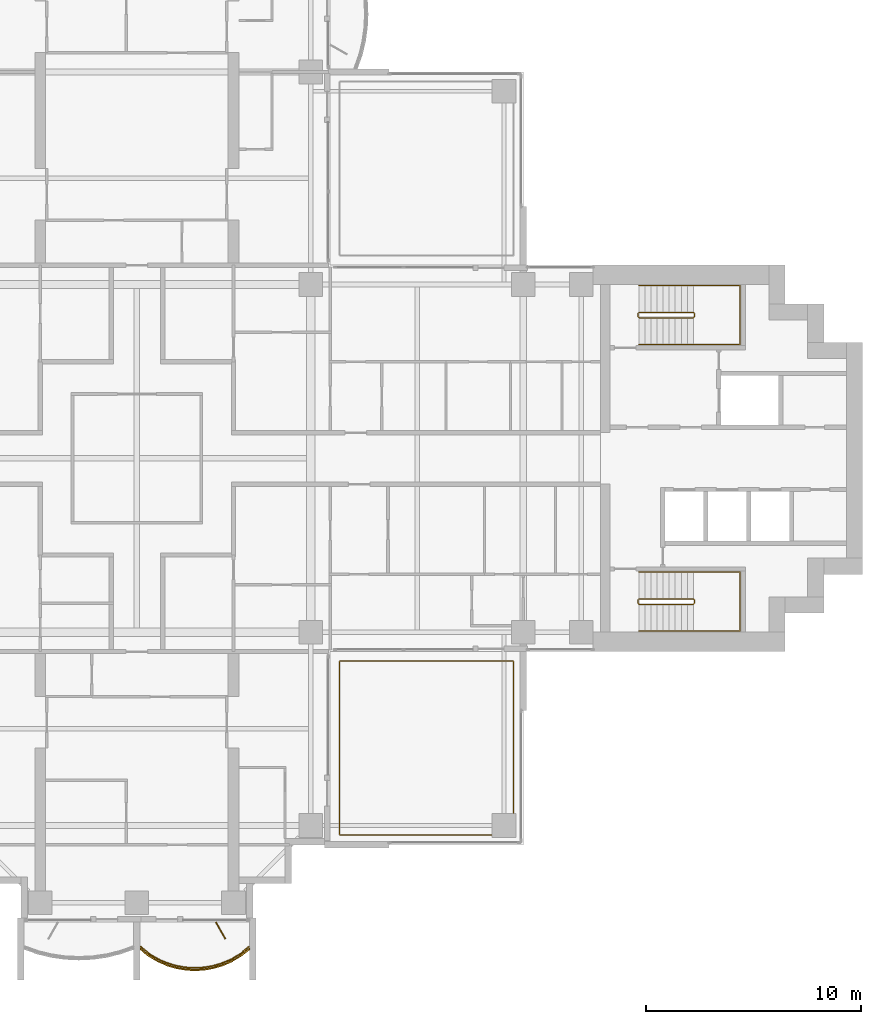
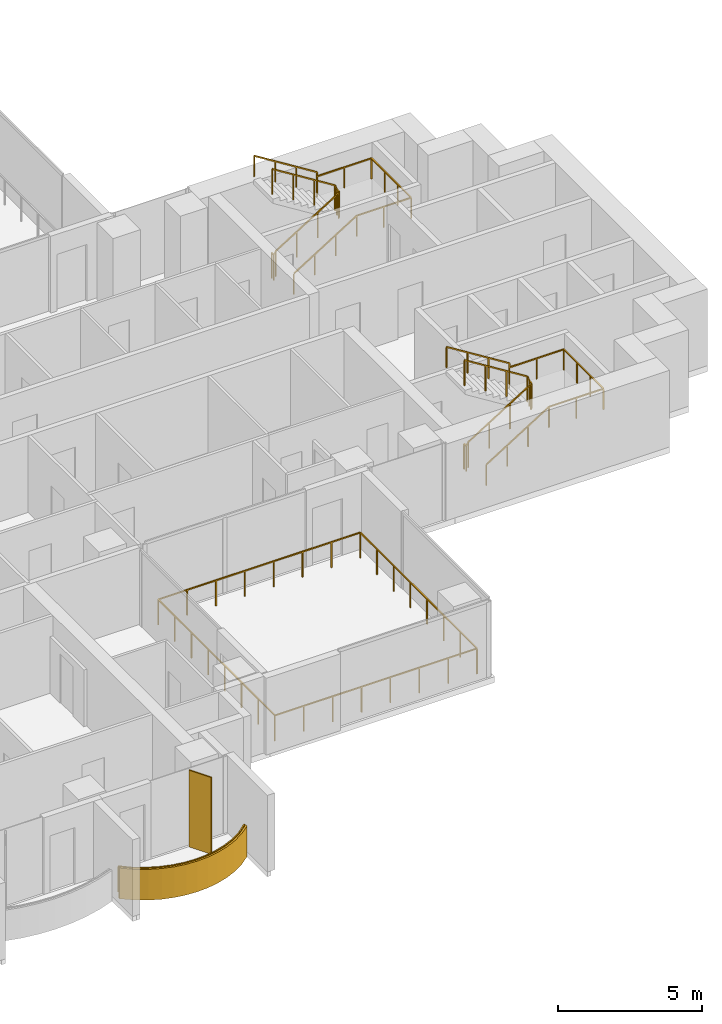
# One storey, part 17 of 19: 6 railings, 1 covering, 1 shading device.
"""IFC4 building model written with IfcOpenShell, lengths in metres."""

from ifc_helpers import new_model, si_unit, direction, frame, origin, origin_2d, place, context, subcontext, project, spatial, polyline, rectangle, outline, extrude, material, layer, layer_set, type_object, element, save


model = new_model("IFC4")

# Units and contexts
model_context = context("Model", 3, precision=1e-05, world=origin(), true_north=direction((0.0, 1.0)))
body_context = subcontext(model_context, "Body", "Model", "MODEL_VIEW")
ifc_project = project(units=[si_unit("LENGTHUNIT", "METRE"), si_unit("AREAUNIT", "SQUARE_METRE"), si_unit("VOLUMEUNIT", "CUBIC_METRE"), si_unit("PLANEANGLEUNIT", "RADIAN"), si_unit("MASSUNIT", "GRAM", prefix="KILO")], contexts=[model_context])

# Site, building, storey
site_placement = place(None, origin())
site = spatial("IfcSite", under=ifc_project, at=site_placement, CompositionType="ELEMENT")
building_placement = place(site_placement, origin())
building = spatial("IfcBuilding", under=site, at=building_placement, Name="Perihelion Cross Residences", CompositionType="ELEMENT")
storey_placement = place(building_placement, frame((0.0, 0.0, 119.89990234375)))
storey = spatial("IfcBuildingStorey", under=building, at=storey_placement, Name="L28", CompositionType="ELEMENT", Elevation=119.89990234375)

# Covering
ifc_material_1 = material(Name="Bronze anodised aluminium", Category="aluminium")
ifc_layer_1 = layer(ifc_material_1, 0.070068359375)
ifc_layer_set_1 = layer_set([ifc_layer_1], Name="Balcony fascia 1300")
covering_type = type_object("IfcCoveringType", Name="Balcony fascia 1300", PredefinedType="CLADDING", material=ifc_layer_set_1)
covering_placement = place(storey_placement, frame((0.0, 0.0, -0.199951171875)))
element("IfcCovering", 1, at=covering_placement, inside=storey, type_object=covering_type, Name="Fascia BF1 L28 south tip south bay 2", PredefinedType="CLADDING", context=body_context, shape_type="SweptSolid", body=[
    extrude(outline(polyline([(0.53515625, -23.197509765625), (0.96826171875, -23.455078125), (1.401123046875, -23.642578125), (1.833984375, -23.7705078125), (2.26708984375, -23.845458984375), (2.699951171875, -23.8701171875), (3.133056640625, -23.845458984375), (3.56591796875, -23.7705078125), (3.998779296875, -23.642578125), (4.431884765625, -23.455078125), (4.86474609375, -23.197509765625), (5.25, -22.8896484375), (5.25, -22.800048828125), (4.824951171875, -23.14013671875), (4.39990234375, -23.392578125), (3.97509765625, -23.57666015625), (3.550048828125, -23.702392578125), (3.125, -23.77587890625), (2.699951171875, -23.800048828125), (2.27490234375, -23.77587890625), (1.85009765625, -23.702392578125), (1.425048828125, -23.57666015625), (1.0, -23.392578125), (0.574951171875, -23.14013671875), (0.14990234375, -22.800048828125), (0.14990234375, -22.8896484375), (0.53515625, -23.197509765625)])), origin(), (0.0, 0.0, 1.0), 1.300048828125),
])

# Railings
ifc_material_2 = material(Name="Bronze anodised aluminium", Category="aluminium")
railing_type_1 = type_object("IfcRailingType", Name="Balcony guard 1100", PredefinedType="GUARDRAIL", material=ifc_material_2)
railing_1_placement = place(storey_placement, frame((0.175048828125, -22.739990234375, 0.0)))
element("IfcRailing", 2, at=railing_1_placement, inside=storey, type_object=railing_type_1, Name="Guard GU1 L28 south tip south bay 2 balcony", PredefinedType="GUARDRAIL", context=body_context, shape_type="SweptSolid", body=[
    extrude(rectangle(XDim=0.048095703125, YDim=0.048095703125, at=origin_2d()), frame((0.0, 0.0, 1.076171875), z_axis=(0.761778647315, -0.647837396648, 0.0), x_axis=(0.647837396648, 0.761778647315, 0.0)), (0.0, 0.0, 1.0), 0.52490234375),
    extrude(rectangle(XDim=0.048095703125, YDim=0.048095703125, at=origin_2d()), frame((0.39990234375, -0.340087890625, 1.076171875), z_axis=(0.859576918062, -0.511006381501, 0.0), x_axis=(0.511006381501, 0.859576918062, 0.0)), (0.0, 0.0, 1.0), 0.494384765625),
    extrude(rectangle(XDim=0.048095703125, YDim=0.048095703125, at=origin_2d()), frame((0.824951171875, -0.5927734375, 1.076171875), z_axis=(0.917831080218, -0.396971167952, 0.0), x_axis=(0.396971167952, 0.917831080218, 0.0)), (0.0, 0.0, 1.0), 0.463134765625),
    extrude(rectangle(XDim=0.048095703125, YDim=0.048095703125, at=origin_2d()), frame((1.25, -0.776611328125, 1.076171875), z_axis=(0.958925815697, -0.283656975924, 0.0), x_axis=(0.283656975924, 0.958925815697, 0.0)), (0.0, 0.0, 1.0), 0.443359375),
    extrude(rectangle(XDim=0.048095703125, YDim=0.048095703125, at=origin_2d()), frame((1.675048828125, -0.90234375, 1.076171875), z_axis=(0.985365142702, -0.170456843651, 0.0), x_axis=(0.170456843651, 0.985365142702, 0.0)), (0.0, 0.0, 1.0), 0.43115234375),
    extrude(rectangle(XDim=0.048095703125, YDim=0.048095703125, at=origin_2d()), frame((2.099853515625, -0.975830078125, 1.076171875), z_axis=(0.998387160354, -0.056772159032, 0.0), x_axis=(0.056772159032, 0.998387160354, 0.0)), (0.0, 0.0, 1.0), 0.42578125),
    extrude(rectangle(XDim=0.048095703125, YDim=0.048095703125, at=origin_2d()), frame((2.52490234375, -1.0, 1.076171875), z_axis=(0.998387160354, 0.056772159032, 0.0), x_axis=(-0.056772159032, 0.998387160354, 0.0)), (0.0, 0.0, 1.0), 0.42578125),
    extrude(rectangle(XDim=0.048095703125, YDim=0.048095703125, at=origin_2d()), frame((2.949951171875, -0.975830078125, 1.076171875), z_axis=(0.985381583142, 0.17036177859, 0.0), x_axis=(-0.17036177859, 0.985381583142, 0.0)), (0.0, 0.0, 1.0), 0.431396484375),
    extrude(rectangle(XDim=0.048095703125, YDim=0.048095703125, at=origin_2d()), frame((3.375, -0.90234375, 1.076171875), z_axis=(0.958925815697, 0.283656975924, 0.0), x_axis=(-0.283656975924, 0.958925815697, 0.0)), (0.0, 0.0, 1.0), 0.443359375),
    extrude(rectangle(XDim=0.048095703125, YDim=0.048095703125, at=origin_2d()), frame((3.800048828125, -0.776611328125, 1.076171875), z_axis=(0.917747942671, 0.397163333811, 0.0), x_axis=(-0.397163333811, 0.917747942671, 0.0)), (0.0, 0.0, 1.0), 0.462890625),
    extrude(rectangle(XDim=0.048095703125, YDim=0.048095703125, at=origin_2d()), frame((4.224853515625, -0.5927734375, 1.076171875), z_axis=(0.859576918062, 0.511006381501, 0.0), x_axis=(-0.511006381501, 0.859576918062, 0.0)), (0.0, 0.0, 1.0), 0.494384765625),
    extrude(rectangle(XDim=0.048095703125, YDim=0.048095703125, at=origin_2d()), frame((4.64990234375, -0.340087890625, 1.076171875), z_axis=(0.761973728849, 0.647607934281, 0.0), x_axis=(-0.647607934281, 0.761973728849, 0.0)), (0.0, 0.0, 1.0), 0.525146484375),
    extrude(rectangle(XDim=0.0419921875, YDim=0.0419921875, at=origin_2d()), origin(), (0.0, 0.0, 1.0), 1.052001953125),
    extrude(rectangle(XDim=0.0419921875, YDim=0.0419921875, at=origin_2d()), frame((0.39990234375, -0.340087890625, 0.0)), (0.0, 0.0, 1.0), 1.052001953125),
    extrude(rectangle(XDim=0.0419921875, YDim=0.0419921875, at=origin_2d()), frame((0.824951171875, -0.5927734375, 0.0)), (0.0, 0.0, 1.0), 1.052001953125),
    extrude(rectangle(XDim=0.0419921875, YDim=0.0419921875, at=origin_2d()), frame((1.25, -0.776611328125, 0.0)), (0.0, 0.0, 1.0), 1.052001953125),
    extrude(rectangle(XDim=0.0419921875, YDim=0.0419921875, at=origin_2d()), frame((1.675048828125, -0.90234375, 0.0)), (0.0, 0.0, 1.0), 1.052001953125),
    extrude(rectangle(XDim=0.0419921875, YDim=0.0419921875, at=origin_2d()), frame((2.099853515625, -0.975830078125, 0.0)), (0.0, 0.0, 1.0), 1.052001953125),
    extrude(rectangle(XDim=0.0419921875, YDim=0.0419921875, at=origin_2d()), frame((2.52490234375, -1.0, 0.0)), (0.0, 0.0, 1.0), 1.052001953125),
    extrude(rectangle(XDim=0.0419921875, YDim=0.0419921875, at=origin_2d()), frame((2.949951171875, -0.975830078125, 0.0)), (0.0, 0.0, 1.0), 1.052001953125),
    extrude(rectangle(XDim=0.0419921875, YDim=0.0419921875, at=origin_2d()), frame((3.375, -0.90234375, 0.0)), (0.0, 0.0, 1.0), 1.052001953125),
    extrude(rectangle(XDim=0.0419921875, YDim=0.0419921875, at=origin_2d()), frame((3.800048828125, -0.776611328125, 0.0)), (0.0, 0.0, 1.0), 1.052001953125),
    extrude(rectangle(XDim=0.0419921875, YDim=0.0419921875, at=origin_2d()), frame((4.224853515625, -0.5927734375, 0.0)), (0.0, 0.0, 1.0), 1.052001953125),
    extrude(rectangle(XDim=0.0419921875, YDim=0.0419921875, at=origin_2d()), frame((4.64990234375, -0.340087890625, 0.0)), (0.0, 0.0, 1.0), 1.052001953125),
    extrude(rectangle(XDim=0.0419921875, YDim=0.0419921875, at=origin_2d()), frame((5.050048828125, 0.0, 0.0)), (0.0, 0.0, 1.0), 1.052001953125),
])
railing_2_placement = place(storey_placement, frame((17.550048828125, -17.550048828125, 0.0)))
element("IfcRailing", 3, at=railing_2_placement, inside=storey, type_object=railing_type_1, Name="Guard GU1 L28 pocket south-east 1", PredefinedType="GUARDRAIL", context=body_context, shape_type="SweptSolid", body=[
    extrude(rectangle(XDim=0.048095703125, YDim=0.048095703125, at=origin_2d()), frame((0.0, 0.0, 1.076171875), z_axis=(-1.0, 0.0, 0.0), x_axis=(0.0, -1.0, 0.0)), (0.0, 0.0, 1.0), 8.10009765625),
    extrude(rectangle(XDim=0.048095703125, YDim=0.048095703125, at=origin_2d()), frame((-8.10009765625, 0.0, 1.076171875), z_axis=(0.0, 1.0, 0.0), x_axis=(-1.0, 0.0, 0.0)), (0.0, 0.0, 1.0), 8.10009765625),
    extrude(rectangle(XDim=0.048095703125, YDim=0.048095703125, at=origin_2d()), frame((-8.10009765625, 8.10009765625, 1.076171875), z_axis=(1.0, 0.0, 0.0), x_axis=(0.0, 1.0, 0.0)), (0.0, 0.0, 1.0), 8.10009765625),
    extrude(rectangle(XDim=0.048095703125, YDim=0.048095703125, at=origin_2d()), frame((0.0, 8.10009765625, 1.076171875), z_axis=(0.0, -1.0, 0.0), x_axis=(1.0, 0.0, 0.0)), (0.0, 0.0, 1.0), 8.10009765625),
    extrude(rectangle(XDim=0.0419921875, YDim=0.0419921875, at=origin_2d()), origin(), (0.0, 0.0, 1.0), 1.052001953125),
    extrude(rectangle(XDim=0.0419921875, YDim=0.0419921875, at=origin_2d()), frame((-1.1572265625, 0.0, 0.0)), (0.0, 0.0, 1.0), 1.052001953125),
    extrude(rectangle(XDim=0.0419921875, YDim=0.0419921875, at=origin_2d()), frame((-2.314208984375, 0.0, 0.0)), (0.0, 0.0, 1.0), 1.052001953125),
    extrude(rectangle(XDim=0.0419921875, YDim=0.0419921875, at=origin_2d()), frame((-3.471435546875, 0.0, 0.0)), (0.0, 0.0, 1.0), 1.052001953125),
    extrude(rectangle(XDim=0.0419921875, YDim=0.0419921875, at=origin_2d()), frame((-4.628662109375, 0.0, 0.0)), (0.0, 0.0, 1.0), 1.052001953125),
    extrude(rectangle(XDim=0.0419921875, YDim=0.0419921875, at=origin_2d()), frame((-5.785888671875, 0.0, 0.0)), (0.0, 0.0, 1.0), 1.052001953125),
    extrude(rectangle(XDim=0.0419921875, YDim=0.0419921875, at=origin_2d()), frame((-6.94287109375, 0.0, 0.0)), (0.0, 0.0, 1.0), 1.052001953125),
    extrude(rectangle(XDim=0.0419921875, YDim=0.0419921875, at=origin_2d()), frame((-8.10009765625, 0.0, 0.0)), (0.0, 0.0, 1.0), 1.052001953125),
    extrude(rectangle(XDim=0.0419921875, YDim=0.0419921875, at=origin_2d()), frame((-8.10009765625, 1.1572265625, 0.0)), (0.0, 0.0, 1.0), 1.052001953125),
    extrude(rectangle(XDim=0.0419921875, YDim=0.0419921875, at=origin_2d()), frame((-8.10009765625, 2.314208984375, 0.0)), (0.0, 0.0, 1.0), 1.052001953125),
    extrude(rectangle(XDim=0.0419921875, YDim=0.0419921875, at=origin_2d()), frame((-8.10009765625, 3.471435546875, 0.0)), (0.0, 0.0, 1.0), 1.052001953125),
    extrude(rectangle(XDim=0.0419921875, YDim=0.0419921875, at=origin_2d()), frame((-8.10009765625, 4.628662109375, 0.0)), (0.0, 0.0, 1.0), 1.052001953125),
    extrude(rectangle(XDim=0.0419921875, YDim=0.0419921875, at=origin_2d()), frame((-8.10009765625, 5.785888671875, 0.0)), (0.0, 0.0, 1.0), 1.052001953125),
    extrude(rectangle(XDim=0.0419921875, YDim=0.0419921875, at=origin_2d()), frame((-8.10009765625, 6.94287109375, 0.0)), (0.0, 0.0, 1.0), 1.052001953125),
    extrude(rectangle(XDim=0.0419921875, YDim=0.0419921875, at=origin_2d()), frame((-8.10009765625, 8.10009765625, 0.0)), (0.0, 0.0, 1.0), 1.052001953125),
    extrude(rectangle(XDim=0.0419921875, YDim=0.0419921875, at=origin_2d()), frame((-6.94287109375, 8.10009765625, 0.0)), (0.0, 0.0, 1.0), 1.052001953125),
    extrude(rectangle(XDim=0.0419921875, YDim=0.0419921875, at=origin_2d()), frame((-5.785888671875, 8.10009765625, 0.0)), (0.0, 0.0, 1.0), 1.052001953125),
    extrude(rectangle(XDim=0.0419921875, YDim=0.0419921875, at=origin_2d()), frame((-4.628662109375, 8.10009765625, 0.0)), (0.0, 0.0, 1.0), 1.052001953125),
    extrude(rectangle(XDim=0.0419921875, YDim=0.0419921875, at=origin_2d()), frame((-3.471435546875, 8.10009765625, 0.0)), (0.0, 0.0, 1.0), 1.052001953125),
    extrude(rectangle(XDim=0.0419921875, YDim=0.0419921875, at=origin_2d()), frame((-2.314208984375, 8.10009765625, 0.0)), (0.0, 0.0, 1.0), 1.052001953125),
    extrude(rectangle(XDim=0.0419921875, YDim=0.0419921875, at=origin_2d()), frame((-1.1572265625, 8.10009765625, 0.0)), (0.0, 0.0, 1.0), 1.052001953125),
    extrude(rectangle(XDim=0.0419921875, YDim=0.0419921875, at=origin_2d()), frame((0.0, 8.10009765625, 0.0)), (0.0, 0.0, 1.0), 1.052001953125),
    extrude(rectangle(XDim=0.0419921875, YDim=0.0419921875, at=origin_2d()), frame((0.0, 6.94287109375, 0.0)), (0.0, 0.0, 1.0), 1.052001953125),
    extrude(rectangle(XDim=0.0419921875, YDim=0.0419921875, at=origin_2d()), frame((0.0, 5.785888671875, 0.0)), (0.0, 0.0, 1.0), 1.052001953125),
    extrude(rectangle(XDim=0.0419921875, YDim=0.0419921875, at=origin_2d()), frame((0.0, 4.628662109375, 0.0)), (0.0, 0.0, 1.0), 1.052001953125),
    extrude(rectangle(XDim=0.0419921875, YDim=0.0419921875, at=origin_2d()), frame((0.0, 3.471435546875, 0.0)), (0.0, 0.0, 1.0), 1.052001953125),
    extrude(rectangle(XDim=0.0419921875, YDim=0.0419921875, at=origin_2d()), frame((0.0, 2.314208984375, 0.0)), (0.0, 0.0, 1.0), 1.052001953125),
    extrude(rectangle(XDim=0.0419921875, YDim=0.0419921875, at=origin_2d()), frame((0.0, 1.1572265625, 0.0)), (0.0, 0.0, 1.0), 1.052001953125),
])

# Shading device
ifc_material_3 = material(Name="Bronze anodised aluminium", Category="aluminium")
ifc_layer_2 = layer(ifc_material_3, 0.050048828125)
ifc_layer_set_2 = layer_set([ifc_layer_2], Name="Bronze fin 900")
shading_device_type = type_object("IfcShadingDeviceType", Name="Bronze fin 900", PredefinedType="USERDEFINED", material=ifc_layer_set_2)
shading_device_placement = place(storey_placement, frame((3.89990234375, -21.98974609375, 0.0), z_axis=(0.0, 0.0, 1.0), x_axis=(0.5, -0.866025403784, 0.0)))
element("IfcShadingDevice", 4, at=shading_device_placement, inside=storey, type_object=shading_device_type, Name="Fin FN1 L28 south tip south bay 2", ObjectType="FIN", PredefinedType="USERDEFINED", context=body_context, shape_type="SweptSolid", body=[
    extrude(rectangle(XDim=0.89990234375, YDim=0.050048828125, at=origin_2d()), origin(), (0.0, 0.0, 1.0), 3.25),
])

# Railings
ifc_material_4 = material(Name="Stainless steel", Category="steel")
railing_type_2 = type_object("IfcRailingType", Name="Stair guard 1100", PredefinedType="GUARDRAIL", material=ifc_material_4)
railing_3_placement = place(storey_placement, frame((23.35009765625, 6.75, 0.0)))
element("IfcRailing", 5, at=railing_3_placement, inside=storey, type_object=railing_type_2, Name="L28 ST-E1 stair guard 1", PredefinedType="GUARDRAIL", context=body_context, shape_type="SweptSolid", body=[
    extrude(rectangle(XDim=0.048095703125, YDim=0.048095703125, at=origin_2d()), frame((0.0, 0.0, 1.076171875), z_axis=(0.0, -1.0, 0.0), x_axis=(1.0, 0.0, 0.0)), (0.0, 0.0, 1.0), 0.14990234375),
    extrude(rectangle(XDim=0.048095703125, YDim=0.048095703125, at=origin_2d()), frame((0.0, -0.14990234375, 1.076171875), z_axis=(0.263862480399, -0.265155923931, 0.927399011991), x_axis=(0.708833529934, 0.705375805398, 0.0)), (0.0, 0.0, 1.0), 0.188720703125),
    extrude(rectangle(XDim=0.048095703125, YDim=0.048095703125, at=origin_2d()), frame((0.0498046875, -0.199951171875, 1.2509765625), z_axis=(0.848007534815, 0.0, 0.529984170421), x_axis=(0.0, 1.0, 0.0)), (0.0, 0.0, 1.0), 2.9716796875),
    extrude(rectangle(XDim=0.048095703125, YDim=0.048095703125, at=origin_2d()), frame((2.56982421875, -0.199951171875, 2.826171875), z_axis=(0.707106781187, 0.707106781187, 0.0), x_axis=(-0.707106781187, 0.707106781187, 0.0)), (0.0, 0.0, 1.0), 0.07080078125),
    extrude(rectangle(XDim=0.048095703125, YDim=0.048095703125, at=origin_2d()), frame((2.619873046875, -0.14990234375, 2.826171875), z_axis=(0.0, 1.0, 0.0), x_axis=(-1.0, 0.0, 0.0)), (0.0, 0.0, 1.0), 0.14990234375),
    extrude(rectangle(XDim=0.048095703125, YDim=0.048095703125, at=origin_2d()), frame((2.619873046875, 0.0, 2.826171875), z_axis=(-0.265065253269, 0.265065253269, 0.927081885822), x_axis=(-0.707106781187, -0.707106781187, 0.0)), (0.0, 0.0, 1.0), 0.188720703125),
    extrude(rectangle(XDim=0.048095703125, YDim=0.048095703125, at=origin_2d()), frame((2.56982421875, 0.050048828125, 3.0009765625), z_axis=(-0.848007534815, 0.0, 0.529984170421), x_axis=(0.0, -1.0, 0.0)), (0.0, 0.0, 1.0), 2.9716796875),
    extrude(rectangle(XDim=0.0419921875, YDim=0.0419921875, at=origin_2d()), origin(), (0.0, 0.0, 1.0), 1.052001953125),
    extrude(rectangle(XDim=0.0419921875, YDim=0.0419921875, at=origin_2d()), frame((0.0, -0.14990234375, 0.0)), (0.0, 0.0, 1.0), 1.052001953125),
    extrude(rectangle(XDim=0.0419921875, YDim=0.0419921875, at=origin_2d()), frame((0.0498046875, -0.199951171875, 0.175048828125)), (0.0, 0.0, 1.0), 1.052001953125),
    extrude(rectangle(XDim=0.0419921875, YDim=0.0419921875, at=origin_2d()), frame((0.889892578125, -0.199951171875, 0.699951171875)), (0.0, 0.0, 1.0), 1.052001953125),
    extrude(rectangle(XDim=0.0419921875, YDim=0.0419921875, at=origin_2d()), frame((1.729736328125, -0.199951171875, 1.22509765625)), (0.0, 0.0, 1.0), 1.052001953125),
    extrude(rectangle(XDim=0.0419921875, YDim=0.0419921875, at=origin_2d()), frame((2.56982421875, -0.199951171875, 1.75)), (0.0, 0.0, 1.0), 1.052001953125),
    extrude(rectangle(XDim=0.0419921875, YDim=0.0419921875, at=origin_2d()), frame((2.619873046875, -0.14990234375, 1.75)), (0.0, 0.0, 1.0), 1.052001953125),
    extrude(rectangle(XDim=0.0419921875, YDim=0.0419921875, at=origin_2d()), frame((2.619873046875, 0.0, 1.75)), (0.0, 0.0, 1.0), 1.052001953125),
    extrude(rectangle(XDim=0.0419921875, YDim=0.0419921875, at=origin_2d()), frame((2.56982421875, 0.050048828125, 1.925048828125)), (0.0, 0.0, 1.0), 1.052001953125),
    extrude(rectangle(XDim=0.0419921875, YDim=0.0419921875, at=origin_2d()), frame((1.729736328125, 0.050048828125, 2.449951171875)), (0.0, 0.0, 1.0), 1.052001953125),
    extrude(rectangle(XDim=0.0419921875, YDim=0.0419921875, at=origin_2d()), frame((0.889892578125, 0.050048828125, 2.97509765625)), (0.0, 0.0, 1.0), 1.052001953125),
    extrude(rectangle(XDim=0.0419921875, YDim=0.0419921875, at=origin_2d()), frame((0.0498046875, 0.050048828125, 3.5)), (0.0, 0.0, 1.0), 1.052001953125),
])
railing_4_placement = place(storey_placement, frame((23.35009765625, -6.60009765625, 0.0)))
element("IfcRailing", 6, at=railing_4_placement, inside=storey, type_object=railing_type_2, Name="L28 ST-E2 stair guard 1", PredefinedType="GUARDRAIL", context=body_context, shape_type="SweptSolid", body=[
    extrude(rectangle(XDim=0.048095703125, YDim=0.048095703125, at=origin_2d()), frame((0.0, 0.0, 1.076171875), z_axis=(0.0, -1.0, 0.0), x_axis=(1.0, 0.0, 0.0)), (0.0, 0.0, 1.0), 0.14990234375),
    extrude(rectangle(XDim=0.048095703125, YDim=0.048095703125, at=origin_2d()), frame((0.0, -0.14990234375, 1.076171875), z_axis=(0.263862480399, -0.265155923931, 0.927399011991), x_axis=(0.708833529934, 0.705375805398, 0.0)), (0.0, 0.0, 1.0), 0.188720703125),
    extrude(rectangle(XDim=0.048095703125, YDim=0.048095703125, at=origin_2d()), frame((0.0498046875, -0.199951171875, 1.2509765625), z_axis=(0.848007534815, 0.0, 0.529984170421), x_axis=(0.0, 1.0, 0.0)), (0.0, 0.0, 1.0), 2.9716796875),
    extrude(rectangle(XDim=0.048095703125, YDim=0.048095703125, at=origin_2d()), frame((2.56982421875, -0.199951171875, 2.826171875), z_axis=(0.707106781187, 0.707106781187, 0.0), x_axis=(-0.707106781187, 0.707106781187, 0.0)), (0.0, 0.0, 1.0), 0.07080078125),
    extrude(rectangle(XDim=0.048095703125, YDim=0.048095703125, at=origin_2d()), frame((2.619873046875, -0.14990234375, 2.826171875), z_axis=(0.0, 1.0, 0.0), x_axis=(-1.0, 0.0, 0.0)), (0.0, 0.0, 1.0), 0.14990234375),
    extrude(rectangle(XDim=0.048095703125, YDim=0.048095703125, at=origin_2d()), frame((2.619873046875, 0.0, 2.826171875), z_axis=(-0.265065253269, 0.265065253269, 0.927081885822), x_axis=(-0.707106781187, -0.707106781187, 0.0)), (0.0, 0.0, 1.0), 0.188720703125),
    extrude(rectangle(XDim=0.048095703125, YDim=0.048095703125, at=origin_2d()), frame((2.56982421875, 0.050048828125, 3.0009765625), z_axis=(-0.848007534815, 0.0, 0.529984170421), x_axis=(0.0, -1.0, 0.0)), (0.0, 0.0, 1.0), 2.9716796875),
    extrude(rectangle(XDim=0.0419921875, YDim=0.0419921875, at=origin_2d()), origin(), (0.0, 0.0, 1.0), 1.052001953125),
    extrude(rectangle(XDim=0.0419921875, YDim=0.0419921875, at=origin_2d()), frame((0.0, -0.14990234375, 0.0)), (0.0, 0.0, 1.0), 1.052001953125),
    extrude(rectangle(XDim=0.0419921875, YDim=0.0419921875, at=origin_2d()), frame((0.0498046875, -0.199951171875, 0.175048828125)), (0.0, 0.0, 1.0), 1.052001953125),
    extrude(rectangle(XDim=0.0419921875, YDim=0.0419921875, at=origin_2d()), frame((0.889892578125, -0.199951171875, 0.699951171875)), (0.0, 0.0, 1.0), 1.052001953125),
    extrude(rectangle(XDim=0.0419921875, YDim=0.0419921875, at=origin_2d()), frame((1.729736328125, -0.199951171875, 1.22509765625)), (0.0, 0.0, 1.0), 1.052001953125),
    extrude(rectangle(XDim=0.0419921875, YDim=0.0419921875, at=origin_2d()), frame((2.56982421875, -0.199951171875, 1.75)), (0.0, 0.0, 1.0), 1.052001953125),
    extrude(rectangle(XDim=0.0419921875, YDim=0.0419921875, at=origin_2d()), frame((2.619873046875, -0.14990234375, 1.75)), (0.0, 0.0, 1.0), 1.052001953125),
    extrude(rectangle(XDim=0.0419921875, YDim=0.0419921875, at=origin_2d()), frame((2.619873046875, 0.0, 1.75)), (0.0, 0.0, 1.0), 1.052001953125),
    extrude(rectangle(XDim=0.0419921875, YDim=0.0419921875, at=origin_2d()), frame((2.56982421875, 0.050048828125, 1.925048828125)), (0.0, 0.0, 1.0), 1.052001953125),
    extrude(rectangle(XDim=0.0419921875, YDim=0.0419921875, at=origin_2d()), frame((1.729736328125, 0.050048828125, 2.449951171875)), (0.0, 0.0, 1.0), 1.052001953125),
    extrude(rectangle(XDim=0.0419921875, YDim=0.0419921875, at=origin_2d()), frame((0.889892578125, 0.050048828125, 2.97509765625)), (0.0, 0.0, 1.0), 1.052001953125),
    extrude(rectangle(XDim=0.0419921875, YDim=0.0419921875, at=origin_2d()), frame((0.0498046875, 0.050048828125, 3.5)), (0.0, 0.0, 1.0), 1.052001953125),
])
ifc_material_5 = material(Name="Stainless steel", Category="steel")
railing_type_3 = type_object("IfcRailingType", Name="Stair handrail 900", PredefinedType="HANDRAIL", material=ifc_material_5)
railing_5_placement = place(storey_placement, frame((23.39990234375, 5.300048828125, 0.175048828125)))
element("IfcRailing", 7, at=railing_5_placement, inside=storey, type_object=railing_type_3, Name="L28 ST-E1 stair handrail 1", PredefinedType="HANDRAIL", context=body_context, shape_type="SweptSolid", body=[
    extrude(rectangle(XDim=0.048095703125, YDim=0.048095703125, at=origin_2d()), frame((0.0, 0.0, 0.8759765625), z_axis=(0.848007534815, 0.0, 0.529984170421), x_axis=(0.0, 1.0, 0.0)), (0.0, 0.0, 1.0), 2.9716796875),
    extrude(rectangle(XDim=0.048095703125, YDim=0.048095703125, at=origin_2d()), frame((2.52001953125, 0.0, 2.45068359375), z_axis=(1.0, 0.0, 0.0), x_axis=(0.0, 1.0, 0.0)), (0.0, 0.0, 1.0), 2.18017578125),
    extrude(rectangle(XDim=0.048095703125, YDim=0.048095703125, at=origin_2d()), frame((4.7001953125, 0.0, 2.45068359375), z_axis=(0.0, 1.0, 0.0), x_axis=(-1.0, 0.0, 0.0)), (0.0, 0.0, 1.0), 2.75),
    extrude(rectangle(XDim=0.048095703125, YDim=0.048095703125, at=origin_2d()), frame((4.7001953125, 2.75, 2.45068359375), z_axis=(-1.0, 0.0, 0.0), x_axis=(0.0, -1.0, 0.0)), (0.0, 0.0, 1.0), 2.18017578125),
    extrude(rectangle(XDim=0.048095703125, YDim=0.048095703125, at=origin_2d()), frame((2.52001953125, 2.75, 2.45068359375), z_axis=(0.0, 0.0, 1.0), x_axis=(1.0, 0.0, 0.0)), (0.0, 0.0, 1.0), 0.175048828125),
    extrude(rectangle(XDim=0.048095703125, YDim=0.048095703125, at=origin_2d()), frame((2.52001953125, 2.75, 2.6259765625), z_axis=(-0.848007534815, 0.0, 0.529984170421), x_axis=(0.0, -1.0, 0.0)), (0.0, 0.0, 1.0), 2.9716796875),
    extrude(rectangle(XDim=0.0419921875, YDim=0.0419921875, at=origin_2d()), origin(), (0.0, 0.0, 1.0), 0.851806640625),
    extrude(rectangle(XDim=0.0419921875, YDim=0.0419921875, at=origin_2d()), frame((0.840087890625, 0.0, 0.52490234375)), (0.0, 0.0, 1.0), 0.851806640625),
    extrude(rectangle(XDim=0.0419921875, YDim=0.0419921875, at=origin_2d()), frame((1.679931640625, 0.0, 1.050048828125)), (0.0, 0.0, 1.0), 0.851806640625),
    extrude(rectangle(XDim=0.0419921875, YDim=0.0419921875, at=origin_2d()), frame((2.52001953125, 0.0, 1.574951171875)), (0.0, 0.0, 1.0), 0.851806640625),
    extrude(rectangle(XDim=0.0419921875, YDim=0.0419921875, at=origin_2d()), frame((3.610107421875, 0.0, 1.574951171875)), (0.0, 0.0, 1.0), 0.851806640625),
    extrude(rectangle(XDim=0.0419921875, YDim=0.0419921875, at=origin_2d()), frame((4.7001953125, 0.0, 1.574951171875)), (0.0, 0.0, 1.0), 0.851806640625),
    extrude(rectangle(XDim=0.0419921875, YDim=0.0419921875, at=origin_2d()), frame((4.7001953125, 0.916748046875, 1.574951171875)), (0.0, 0.0, 1.0), 0.851806640625),
    extrude(rectangle(XDim=0.0419921875, YDim=0.0419921875, at=origin_2d()), frame((4.7001953125, 1.833251953125, 1.574951171875)), (0.0, 0.0, 1.0), 0.851806640625),
    extrude(rectangle(XDim=0.0419921875, YDim=0.0419921875, at=origin_2d()), frame((4.7001953125, 2.75, 1.574951171875)), (0.0, 0.0, 1.0), 0.851806640625),
    extrude(rectangle(XDim=0.0419921875, YDim=0.0419921875, at=origin_2d()), frame((3.610107421875, 2.75, 1.574951171875)), (0.0, 0.0, 1.0), 0.851806640625),
    extrude(rectangle(XDim=0.0419921875, YDim=0.0419921875, at=origin_2d()), frame((2.52001953125, 2.75, 1.574951171875)), (0.0, 0.0, 1.0), 0.851806640625),
    extrude(rectangle(XDim=0.0419921875, YDim=0.0419921875, at=origin_2d()), frame((2.52001953125, 2.75, 1.75)), (0.0, 0.0, 1.0), 0.851806640625),
    extrude(rectangle(XDim=0.0419921875, YDim=0.0419921875, at=origin_2d()), frame((1.679931640625, 2.75, 2.27490234375)), (0.0, 0.0, 1.0), 0.851806640625),
    extrude(rectangle(XDim=0.0419921875, YDim=0.0419921875, at=origin_2d()), frame((0.840087890625, 2.75, 2.800048828125)), (0.0, 0.0, 1.0), 0.851806640625),
    extrude(rectangle(XDim=0.0419921875, YDim=0.0419921875, at=origin_2d()), frame((0.0, 2.75, 3.324951171875)), (0.0, 0.0, 1.0), 0.851806640625),
])
railing_6_placement = place(storey_placement, frame((23.39990234375, -8.050048828125, 0.175048828125)))
element("IfcRailing", 8, at=railing_6_placement, inside=storey, type_object=railing_type_3, Name="L28 ST-E2 stair handrail 1", PredefinedType="HANDRAIL", context=body_context, shape_type="SweptSolid", body=[
    extrude(rectangle(XDim=0.048095703125, YDim=0.048095703125, at=origin_2d()), frame((0.0, 0.0, 0.8759765625), z_axis=(0.848007534815, 0.0, 0.529984170421), x_axis=(0.0, 1.0, 0.0)), (0.0, 0.0, 1.0), 2.9716796875),
    extrude(rectangle(XDim=0.048095703125, YDim=0.048095703125, at=origin_2d()), frame((2.52001953125, 0.0, 2.45068359375), z_axis=(1.0, 0.0, 0.0), x_axis=(0.0, 1.0, 0.0)), (0.0, 0.0, 1.0), 2.18017578125),
    extrude(rectangle(XDim=0.048095703125, YDim=0.048095703125, at=origin_2d()), frame((4.7001953125, 0.0, 2.45068359375), z_axis=(0.0, 1.0, 0.0), x_axis=(-1.0, 0.0, 0.0)), (0.0, 0.0, 1.0), 2.75),
    extrude(rectangle(XDim=0.048095703125, YDim=0.048095703125, at=origin_2d()), frame((4.7001953125, 2.75, 2.45068359375), z_axis=(-1.0, 0.0, 0.0), x_axis=(0.0, -1.0, 0.0)), (0.0, 0.0, 1.0), 2.18017578125),
    extrude(rectangle(XDim=0.048095703125, YDim=0.048095703125, at=origin_2d()), frame((2.52001953125, 2.75, 2.45068359375), z_axis=(0.0, 0.0, 1.0), x_axis=(1.0, 0.0, 0.0)), (0.0, 0.0, 1.0), 0.175048828125),
    extrude(rectangle(XDim=0.048095703125, YDim=0.048095703125, at=origin_2d()), frame((2.52001953125, 2.75, 2.6259765625), z_axis=(-0.848007534815, 0.0, 0.529984170421), x_axis=(0.0, -1.0, 0.0)), (0.0, 0.0, 1.0), 2.9716796875),
    extrude(rectangle(XDim=0.0419921875, YDim=0.0419921875, at=origin_2d()), origin(), (0.0, 0.0, 1.0), 0.851806640625),
    extrude(rectangle(XDim=0.0419921875, YDim=0.0419921875, at=origin_2d()), frame((0.840087890625, 0.0, 0.52490234375)), (0.0, 0.0, 1.0), 0.851806640625),
    extrude(rectangle(XDim=0.0419921875, YDim=0.0419921875, at=origin_2d()), frame((1.679931640625, 0.0, 1.050048828125)), (0.0, 0.0, 1.0), 0.851806640625),
    extrude(rectangle(XDim=0.0419921875, YDim=0.0419921875, at=origin_2d()), frame((2.52001953125, 0.0, 1.574951171875)), (0.0, 0.0, 1.0), 0.851806640625),
    extrude(rectangle(XDim=0.0419921875, YDim=0.0419921875, at=origin_2d()), frame((3.610107421875, 0.0, 1.574951171875)), (0.0, 0.0, 1.0), 0.851806640625),
    extrude(rectangle(XDim=0.0419921875, YDim=0.0419921875, at=origin_2d()), frame((4.7001953125, 0.0, 1.574951171875)), (0.0, 0.0, 1.0), 0.851806640625),
    extrude(rectangle(XDim=0.0419921875, YDim=0.0419921875, at=origin_2d()), frame((4.7001953125, 0.916748046875, 1.574951171875)), (0.0, 0.0, 1.0), 0.851806640625),
    extrude(rectangle(XDim=0.0419921875, YDim=0.0419921875, at=origin_2d()), frame((4.7001953125, 1.833251953125, 1.574951171875)), (0.0, 0.0, 1.0), 0.851806640625),
    extrude(rectangle(XDim=0.0419921875, YDim=0.0419921875, at=origin_2d()), frame((4.7001953125, 2.75, 1.574951171875)), (0.0, 0.0, 1.0), 0.851806640625),
    extrude(rectangle(XDim=0.0419921875, YDim=0.0419921875, at=origin_2d()), frame((3.610107421875, 2.75, 1.574951171875)), (0.0, 0.0, 1.0), 0.851806640625),
    extrude(rectangle(XDim=0.0419921875, YDim=0.0419921875, at=origin_2d()), frame((2.52001953125, 2.75, 1.574951171875)), (0.0, 0.0, 1.0), 0.851806640625),
    extrude(rectangle(XDim=0.0419921875, YDim=0.0419921875, at=origin_2d()), frame((2.52001953125, 2.75, 1.75)), (0.0, 0.0, 1.0), 0.851806640625),
    extrude(rectangle(XDim=0.0419921875, YDim=0.0419921875, at=origin_2d()), frame((1.679931640625, 2.75, 2.27490234375)), (0.0, 0.0, 1.0), 0.851806640625),
    extrude(rectangle(XDim=0.0419921875, YDim=0.0419921875, at=origin_2d()), frame((0.840087890625, 2.75, 2.800048828125)), (0.0, 0.0, 1.0), 0.851806640625),
    extrude(rectangle(XDim=0.0419921875, YDim=0.0419921875, at=origin_2d()), frame((0.0, 2.75, 3.324951171875)), (0.0, 0.0, 1.0), 0.851806640625),
])

save(model, "model.ifc")
